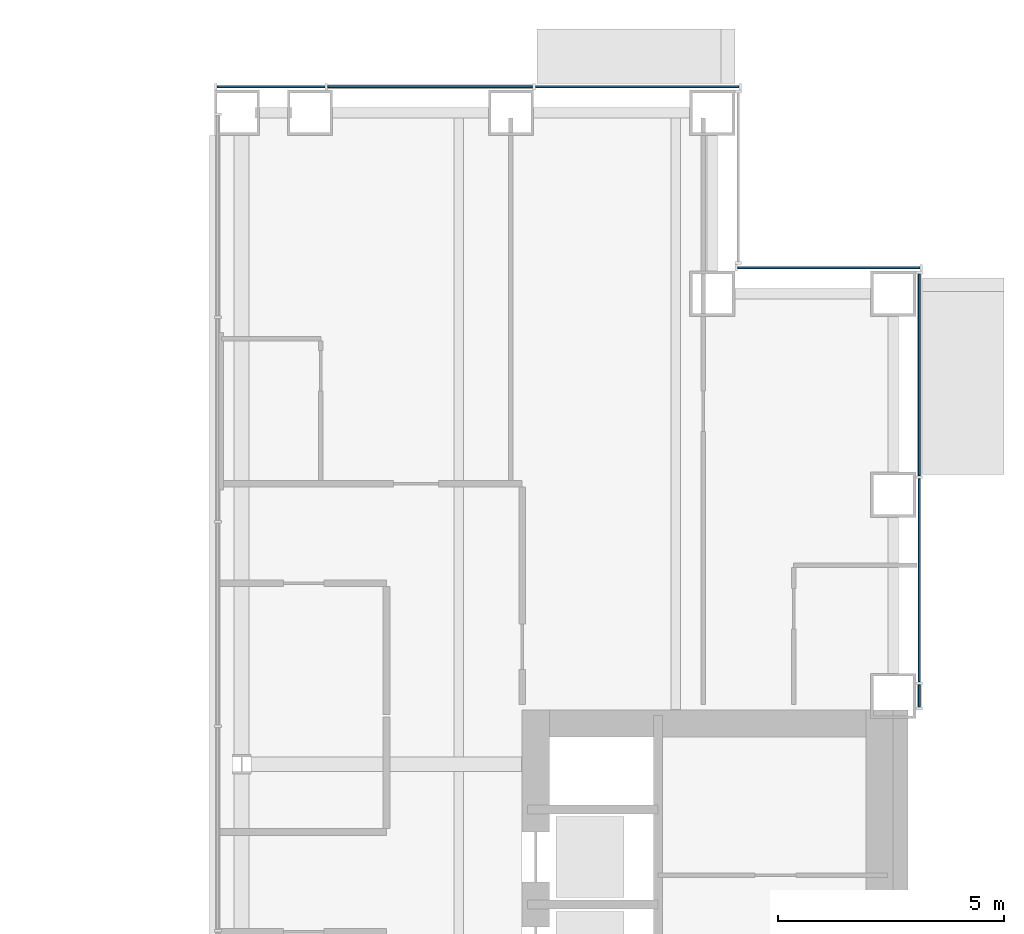
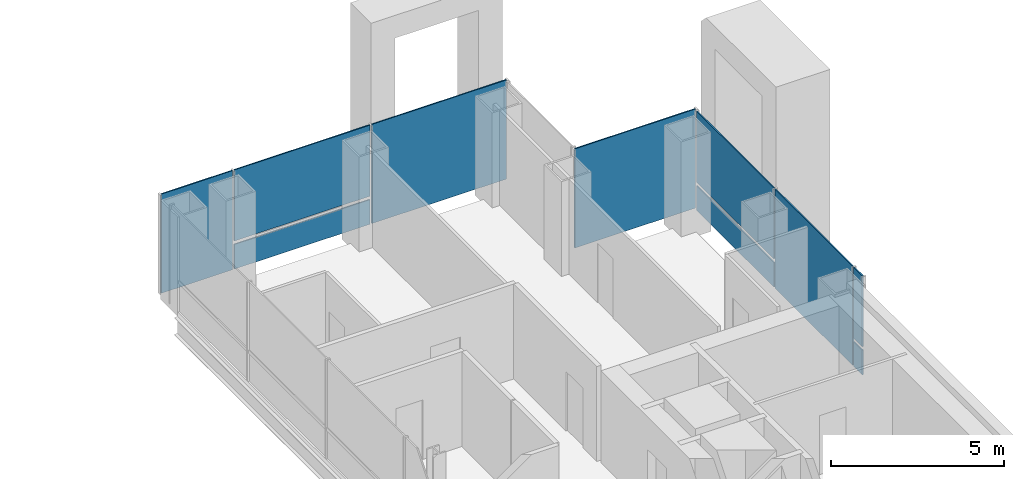
# One storey, part 13 of 21: 10 plates, 3 elements without a shape of their own.
"""IFC4 building model written with IfcOpenShell, lengths in metres."""

from ifc_helpers import new_model, si_unit, direction, frame, origin, origin_2d, place, context, subcontext, project, spatial, rectangle, extrude, material, layer, layer_set, type_object, element, aggregate, save


model = new_model("IFC4")

# Units and contexts
model_context = context("Model", 3, precision=1e-05, world=origin(), true_north=direction((0.0, 1.0)))
body_context = subcontext(model_context, "Body", "Model", "MODEL_VIEW")
ifc_project = project(units=[si_unit("LENGTHUNIT", "METRE"), si_unit("AREAUNIT", "SQUARE_METRE"), si_unit("VOLUMEUNIT", "CUBIC_METRE"), si_unit("PLANEANGLEUNIT", "RADIAN"), si_unit("MASSUNIT", "GRAM", prefix="KILO")], contexts=[model_context])

# Site, building, storey
site_placement = place(None, origin())
site = spatial("IfcSite", under=ifc_project, at=site_placement, CompositionType="ELEMENT")
building_placement = place(site_placement, origin())
building = spatial("IfcBuilding", under=site, at=building_placement, Name="Cobrizo Arcos Hotel Tower", CompositionType="ELEMENT")
storey_placement = place(building_placement, frame((0.0, 0.0, 74.0)))
storey = spatial("IfcBuildingStorey", under=building, at=storey_placement, Name="L17", CompositionType="ELEMENT", Elevation=74.0)

# Curtain wall, plates
ifc_material_1 = material(Name="Aluminium 6063-T6 anodised bronze", Category="aluminium")
curtain_wall_type = type_object("IfcCurtainWallType", Name="CW-A guest facade", PredefinedType="NOTDEFINED", material=ifc_material_1)
curtain_wall_1_placement = place(storey_placement, origin())
curtain_wall_1 = element("IfcCurtainWall", 1, at=curtain_wall_1_placement, inside=storey, type_object=curtain_wall_type, Name="CW-A L17 E face", PredefinedType="NOTDEFINED")
ifc_material_2 = material(Name="Glass clear laminated low-e", Category="glass")
ifc_layer_1 = layer(ifc_material_2, 0.0400390625)
ifc_layer_set_1 = layer_set([ifc_layer_1], Name="CW-A glass panel")
plate_type_1 = type_object("IfcPlateType", Name="CW-A glass panel", PredefinedType="CURTAIN_PANEL", material=ifc_layer_set_1)
plate_1_placement = place(storey_placement, frame((24.574951171875, 11.109375, 0.990234375), z_axis=(0.0, 0.0, 1.0), x_axis=(0.0, 1.0, 0.0)))
plate_1 = element("IfcPlate", 2, at=plate_1_placement, type_object=plate_type_1, Name="CW-A glass panel 728", PredefinedType="CURTAIN_PANEL", context=body_context, shape_type="SweptSolid", body=[
    extrude(rectangle(XDim=0.498779296875, YDim=0.0400390625, at=origin_2d()), origin(), (0.0, 0.0, 1.0), 2.510009765625),
])
plate_2_placement = place(storey_placement, frame((24.574951171875, 18.207275390625, 0.990234375), z_axis=(0.0, 0.0, 1.0), x_axis=(0.0, 1.0, 0.0)))
plate_2 = element("IfcPlate", 3, at=plate_2_placement, type_object=plate_type_1, Name="CW-A glass panel 730", PredefinedType="CURTAIN_PANEL", context=body_context, shape_type="SweptSolid", body=[
    extrude(rectangle(XDim=4.465576171875, YDim=0.0400390625, at=origin_2d()), origin(), (0.0, 0.0, 1.0), 2.510009765625),
])

# Curtain wall, plate
curtain_wall_2_placement = place(storey_placement, origin())
curtain_wall_2 = element("IfcCurtainWall", 4, at=curtain_wall_2_placement, inside=storey, type_object=curtain_wall_type, Name="CW-A L17 N face", PredefinedType="NOTDEFINED")
plate_3_placement = place(storey_placement, frame((13.7666015625, 24.574951171875, 0.990234375), z_axis=(0.0, 0.0, 1.0), x_axis=(-1.0, 0.0, 0.0)))
plate_3 = element("IfcPlate", 5, at=plate_3_placement, type_object=plate_type_1, Name="CW-A glass panel 734", PredefinedType="CURTAIN_PANEL", context=body_context, shape_type="SweptSolid", body=[
    extrude(rectangle(XDim=4.52880859375, YDim=0.0400390625, at=origin_2d()), origin(), (0.0, 0.0, 1.0), 2.510009765625),
])

# Plate
ifc_material_3 = material(Name="Aluminium composite panel pale metal", Category="aluminium")
ifc_layer_2 = layer(ifc_material_3, 0.0400390625)
ifc_layer_set_2 = layer_set([ifc_layer_2], Name="CW-A spandrel panel")
plate_type_2 = type_object("IfcPlateType", Name="CW-A spandrel panel", PredefinedType="CURTAIN_PANEL", material=ifc_layer_set_2)
plate_4_placement = place(storey_placement, frame((24.574951171875, 11.109375, 0.0), z_axis=(0.0, 0.0, 1.0), x_axis=(0.0, 1.0, 0.0)))
plate_4 = element("IfcPlate", 6, at=plate_4_placement, type_object=plate_type_2, Name="CW-A spandrel panel 728", PredefinedType="CURTAIN_PANEL", context=body_context, shape_type="SweptSolid", body=[
    extrude(rectangle(XDim=0.498779296875, YDim=0.0400390625, at=origin_2d()), origin(), (0.0, 0.0, 1.0), 0.8701171875),
])

plate_5_placement = place(storey_placement, frame((24.574951171875, 13.666748046875, 0.0), z_axis=(0.0, 0.0, 1.0), x_axis=(0.0, 1.0, 0.0)))
plate_5 = element("IfcPlate", 7, at=plate_5_placement, type_object=plate_type_2, Name="CW-A spandrel panel 729", PredefinedType="CURTAIN_PANEL", context=body_context, shape_type="SweptSolid", body=[
    extrude(rectangle(XDim=4.49560546875, YDim=0.0400390625, at=origin_2d()), origin(), (0.0, 0.0, 1.0), 3.5),
])

plate_6_placement = place(storey_placement, frame((24.574951171875, 18.207275390625, 0.0), z_axis=(0.0, 0.0, 1.0), x_axis=(0.0, 1.0, 0.0)))
plate_6 = element("IfcPlate", 8, at=plate_6_placement, type_object=plate_type_2, Name="CW-A spandrel panel 730", PredefinedType="CURTAIN_PANEL", context=body_context, shape_type="SweptSolid", body=[
    extrude(rectangle(XDim=4.465576171875, YDim=0.0400390625, at=origin_2d()), origin(), (0.0, 0.0, 1.0), 0.8701171875),
])

aggregate(curtain_wall_1, [plate_4, plate_1, plate_5, plate_6, plate_2])

# Curtain wall, plate
curtain_wall_3_placement = place(storey_placement, origin())
curtain_wall_3 = element("IfcCurtainWall", 9, at=curtain_wall_3_placement, inside=storey, type_object=curtain_wall_type, Name="CW-A L17 N face", PredefinedType="NOTDEFINED")
plate_7_placement = place(storey_placement, frame((22.574951171875, 20.574951171875, 0.0), z_axis=(0.0, 0.0, 1.0), x_axis=(-1.0, 0.0, 0.0)))
plate_7 = element("IfcPlate", 10, at=plate_7_placement, type_object=plate_type_2, Name="CW-A spandrel panel 731", PredefinedType="CURTAIN_PANEL", context=body_context, shape_type="SweptSolid", body=[
    extrude(rectangle(XDim=4.030029296875, YDim=0.0400390625, at=origin_2d()), origin(), (0.0, 0.0, 1.0), 3.5),
])
aggregate(curtain_wall_3, [plate_7])

# Plate
plate_8_placement = place(storey_placement, frame((18.340576171875, 24.574951171875, 0.0), z_axis=(0.0, 0.0, 1.0), x_axis=(-1.0, 0.0, 0.0)))
plate_8 = element("IfcPlate", 11, at=plate_8_placement, type_object=plate_type_2, Name="CW-A spandrel panel 733", PredefinedType="CURTAIN_PANEL", context=body_context, shape_type="SweptSolid", body=[
    extrude(rectangle(XDim=4.498779296875, YDim=0.0400390625, at=origin_2d()), origin(), (0.0, 0.0, 1.0), 3.5),
])

plate_9_placement = place(storey_placement, frame((13.7666015625, 24.574951171875, 0.0), z_axis=(0.0, 0.0, 1.0), x_axis=(-1.0, 0.0, 0.0)))
plate_9 = element("IfcPlate", 12, at=plate_9_placement, type_object=plate_type_2, Name="CW-A spandrel panel 734", PredefinedType="CURTAIN_PANEL", context=body_context, shape_type="SweptSolid", body=[
    extrude(rectangle(XDim=4.52880859375, YDim=0.0400390625, at=origin_2d()), origin(), (0.0, 0.0, 1.0), 0.8701171875),
])

plate_10_placement = place(storey_placement, frame((10.251220703125, 24.574951171875, 0.0), z_axis=(0.0, 0.0, 1.0), x_axis=(-1.0, 0.0, 0.0)))
plate_10 = element("IfcPlate", 13, at=plate_10_placement, type_object=plate_type_2, Name="CW-A spandrel panel 735", PredefinedType="CURTAIN_PANEL", context=body_context, shape_type="SweptSolid", body=[
    extrude(rectangle(XDim=2.38232421875, YDim=0.0400390625, at=origin_2d()), origin(), (0.0, 0.0, 1.0), 3.5),
])

aggregate(curtain_wall_2, [plate_8, plate_9, plate_3, plate_10])

save(model, "model.ifc")
